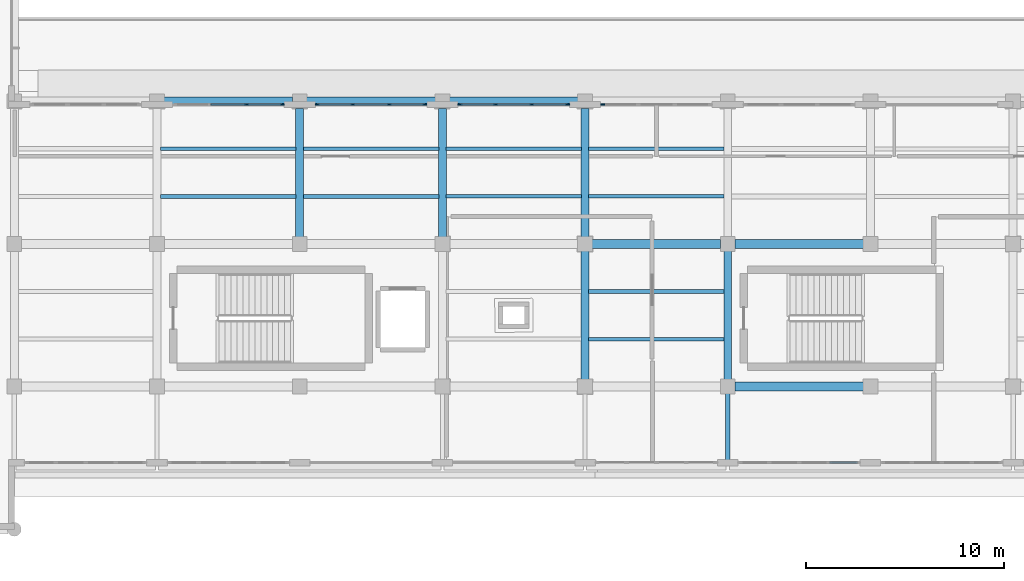
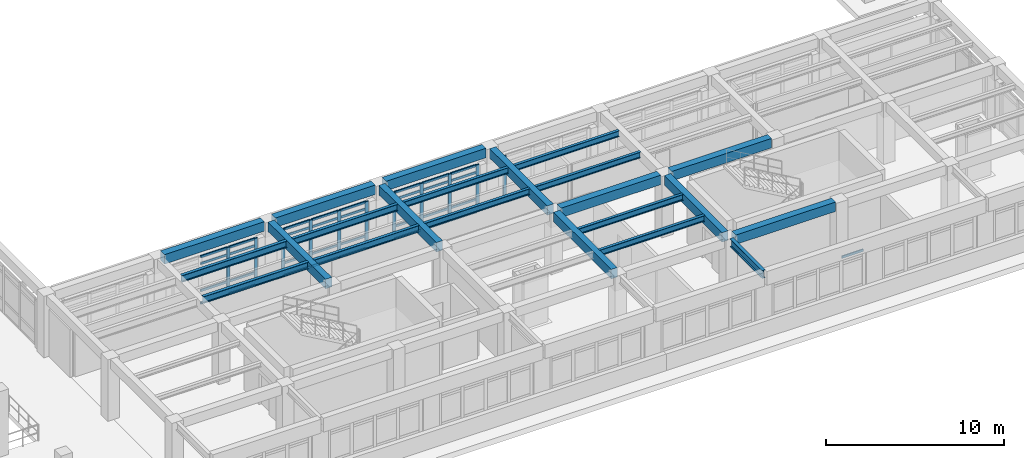
# One storey, part 7 of 64: 44 members, 22 beams, 5 elements without a shape of their own.
"""IFC4 building model written with IfcOpenShell, lengths in metres."""

import ifcopenshell
import ifcopenshell.guid

model = None  # the IFC model being written
_history = None  # IfcOwnerHistory: only IFC2X3 demands one
_inside = {}  # id of a spatial element -> (the spatial element, [elements in it])
_under = {}  # id of a project, library or spatial element -> (it, [spatial elements below it])
_declared = {}  # id of a project -> (the project, [libraries it declares])
_typed = {}  # id of a type object -> (the type object, [elements of that type])
_made_of = {}  # id of a material, layer set ... -> (it, [elements and type objects made of it])


def new_model(schema):
    """Start an empty IFC model of exactly this schema.

    Asked for "IFC4X3", IfcOpenShell would pick the latest addendum, in which some entities
    have other attributes; the version numbers below select the first issue.
    IFC2X3 requires an IfcOwnerHistory on every rooted entity: one is made here for all.
    """
    global model, _history
    if schema == "IFC4X3":
        model = ifcopenshell.file(schema_version=(4, 3, 0, 0))
    else:
        model = ifcopenshell.file(schema=schema)
    _inside.clear()
    _under.clear()
    _declared.clear()
    _typed.clear()
    _made_of.clear()
    _history = None
    if model.schema == "IFC2X3":
        org = make("IfcOrganization", Name="unknown")
        user = make(
            "IfcPersonAndOrganization",
            ThePerson=make("IfcPerson", FamilyName="unknown"),
            TheOrganization=org,
        )
        app = make(
            "IfcApplication",
            ApplicationDeveloper=org,
            Version="unknown",
            ApplicationFullName="unknown",
            ApplicationIdentifier="unknown",
        )
        _history = make(
            "IfcOwnerHistory",
            OwningUser=user,
            OwningApplication=app,
            ChangeAction="ADDED",
            CreationDate=0,
        )
    return model


def make(cls, **values):
    """One entity of the class cls with the attributes given. An attribute that is None is left unset."""
    return model.create_entity(
        cls, **{name: value for name, value in values.items() if value is not None}
    )


def rooted(cls, **values):
    """An entity with a GlobalId (a new one), such as an element, a storey or a relation."""
    return make(cls, GlobalId=ifcopenshell.guid.new(), OwnerHistory=_history, **values)


def si_unit(unit_type, name, prefix=None):
    """IfcSIUnit, for example si_unit("LENGTHUNIT", "METRE", prefix="MILLI")."""
    return make("IfcSIUnit", UnitType=unit_type, Prefix=prefix, Name=name)


def assignment(units):
    """IfcUnitAssignment: the units of a project."""
    return None if units is None else make("IfcUnitAssignment", Units=units)


def point(xyz):
    """IfcCartesianPoint."""
    return None if xyz is None else make("IfcCartesianPoint", Coordinates=xyz)


def direction(xyz):
    """IfcDirection."""
    return None if xyz is None else make("IfcDirection", DirectionRatios=xyz)


def frame(location, z_axis=None, x_axis=None):
    """IfcAxis2Placement3D, a coordinate frame: its origin and axes. An axis left out is left unset."""
    return make(
        "IfcAxis2Placement3D",
        Location=point(location),
        Axis=direction(z_axis),
        RefDirection=direction(x_axis),
    )


def frame_2d(location, x_axis=None):
    """IfcAxis2Placement2D, a coordinate frame in the plane: its origin and x axis."""
    return make(
        "IfcAxis2Placement2D", Location=point(location), RefDirection=direction(x_axis)
    )


def origin():
    """The frame at (0, 0, 0) with its axes left unset."""
    return frame((0.0, 0.0, 0.0))


def origin_2d():
    """The frame at (0, 0) in the plane with its x axis left unset."""
    return frame_2d((0.0, 0.0))


def place(relative_to, where):
    """IfcLocalPlacement: puts the frame where relative to a parent placement (None: the world)."""
    return make(
        "IfcLocalPlacement", PlacementRelTo=relative_to, RelativePlacement=where
    )


def context(
    kind, dimensions, precision=None, world=None, true_north=None, identifier=None
):
    """IfcGeometricRepresentationContext, for example the 3D "Model" context."""
    return make(
        "IfcGeometricRepresentationContext",
        ContextIdentifier=identifier,
        ContextType=kind,
        CoordinateSpaceDimension=dimensions,
        Precision=precision,
        WorldCoordinateSystem=world,
        TrueNorth=true_north,
    )


def subcontext(parent, identifier, kind, view, scale=None):
    """IfcGeometricRepresentationSubContext, for example "Body" below "Model"."""
    return make(
        "IfcGeometricRepresentationSubContext",
        ContextIdentifier=identifier,
        ContextType=kind,
        ParentContext=parent,
        TargetScale=scale,
        TargetView=view,
    )


def project(units=None, contexts=None):
    """IfcProject with its units and contexts."""
    return rooted(
        "IfcProject",
        Name="project",
        RepresentationContexts=contexts,
        UnitsInContext=assignment(units),
    )


def spatial(cls, under=None, at=None, **own):
    """A site, building, storey or space (cls), placed at a placement, below another one or the project."""
    s = rooted(cls, ObjectPlacement=at, **own)
    if under is not None:
        _under.setdefault(under.id(), (under, []))[1].append(s)
    return s


def profile(cls, at=None, kind="AREA", **sizes):
    """A parametric profile (cls). Its sizes go by their IFC names, for example OverallWidth=200.0."""
    return make(cls, ProfileType=kind, Position=at, **sizes)


def rectangle(**sizes):
    """IfcRectangleProfileDef."""
    return profile("IfcRectangleProfileDef", **sizes)


def i_section(**sizes):
    """IfcIShapeProfileDef."""
    return profile("IfcIShapeProfileDef", **sizes)


def extrude(swept, where, along, depth):
    """IfcExtrudedAreaSolid: the profile swept, set in the frame where, extruded along a direction by depth."""
    return make(
        "IfcExtrudedAreaSolid",
        SweptArea=swept,
        Position=where,
        ExtrudedDirection=direction(along),
        Depth=depth,
    )


def shape(context_of_items, identifier, shape_type, items):
    """IfcShapeRepresentation: the items that make up one representation, for example the "Body"."""
    return make(
        "IfcShapeRepresentation",
        ContextOfItems=context_of_items,
        RepresentationIdentifier=identifier,
        RepresentationType=shape_type,
        Items=items,
    )


def material(Name=None, Category=None):
    """IfcMaterial."""
    return make("IfcMaterial", Name=Name, Category=Category)


def layer(
    of_material, thickness, ventilated=None, Name=None, Category=None, Priority=None
):
    """IfcMaterialLayer: one layer of a wall or slab, of a material (None: an air gap)."""
    return make(
        "IfcMaterialLayer",
        Material=of_material,
        LayerThickness=thickness,
        IsVentilated=ventilated,
        Name=Name,
        Category=Category,
        Priority=Priority,
    )


def layer_set(layers, Name=None):
    """IfcMaterialLayerSet."""
    return make("IfcMaterialLayerSet", MaterialLayers=layers, LayerSetName=Name)


def material_profile(
    of_material, cross_section, Name=None, Category=None, Priority=None
):
    """IfcMaterialProfile: a cross section and its material."""
    return make(
        "IfcMaterialProfile",
        Name=Name,
        Material=of_material,
        Profile=cross_section,
        Priority=Priority,
        Category=Category,
    )


def profile_set(profiles, Name=None, composite=None):
    """IfcMaterialProfileSet."""
    return make(
        "IfcMaterialProfileSet",
        Name=Name,
        MaterialProfiles=profiles,
        CompositeProfile=composite,
    )


def made_of(thing, what):
    """Note that an element or type object is made of a material, layer set ...; save() writes the relation."""
    if what is not None:
        _made_of.setdefault(what.id(), (what, []))[1].append(thing)
    return thing


def type_object(cls, material=None, **own):
    """A type object (cls), such as IfcWallType, which elements share."""
    return made_of(rooted(cls, **own), material)


def element(
    cls,
    number,
    at=None,
    inside=None,
    cuts=None,
    type_object=None,
    material=None,
    context=None,
    identifier="Body",
    shape_type=None,
    held_by="IfcProductDefinitionShape",
    body=None,
    shapes=None,
    **own,
):
    """One element of the class cls, such as IfcWall. Its Tag is "e" and its number.

    at: its placement. inside: the storey or other place that contains it. cuts: it is an
    opening in that element (IfcRelVoidsElement). A single representation is given by context,
    identifier, shape_type and body (its items); several are given by shapes. held_by: the class
    of the entity that holds the representations. save() writes the other relations.
    """
    e = rooted(cls, Tag="e%d" % number, ObjectPlacement=at, **own)
    if body is not None:
        shapes = [shape(context, identifier, shape_type, body)]
    if shapes is not None:
        e.Representation = make(held_by, Representations=shapes)
    if inside is not None:
        _inside.setdefault(inside.id(), (inside, []))[1].append(e)
    if cuts is not None:
        rooted(
            "IfcRelVoidsElement", RelatingBuildingElement=cuts, RelatedOpeningElement=e
        )
    if type_object is not None:
        _typed.setdefault(type_object.id(), (type_object, []))[1].append(e)
    return made_of(e, material)


def aggregate(whole, parts):
    """IfcRelAggregates: a whole, such as a stair, and the parts it consists of."""
    return rooted("IfcRelAggregates", RelatingObject=whole, RelatedObjects=parts)


def save(model, path):
    """Write the relations noted so far, then the file.

    IfcRelAggregates (storeys below a building ...), IfcRelContainedInSpatialStructure (elements
    in a storey), IfcRelDefinesByType, IfcRelAssociatesMaterial and IfcRelDeclares: one each for
    every whole, place, type object, material and project.
    """
    for whole, parts in _under.values():
        aggregate(whole, parts)
    for where, things in _inside.values():
        rooted(
            "IfcRelContainedInSpatialStructure",
            RelatedElements=things,
            RelatingStructure=where,
        )
    for kind, things in _typed.values():
        rooted("IfcRelDefinesByType", RelatedObjects=things, RelatingType=kind)
    for what, things in _made_of.values():
        rooted("IfcRelAssociatesMaterial", RelatedObjects=things, RelatingMaterial=what)
    for by, libraries in _declared.values():
        rooted("IfcRelDeclares", RelatingContext=by, RelatedDefinitions=libraries)
    model.write(path)


model = new_model("IFC4")

# Units and contexts
model_context = context("Model", 3, precision=1e-05, world=origin(), true_north=direction((0.0, 1.0)))
body_context = subcontext(model_context, "Body", "Model", "MODEL_VIEW")
ifc_project = project(units=[si_unit("LENGTHUNIT", "METRE"), si_unit("AREAUNIT", "SQUARE_METRE"), si_unit("VOLUMEUNIT", "CUBIC_METRE"), si_unit("PLANEANGLEUNIT", "RADIAN"), si_unit("MASSUNIT", "GRAM", prefix="KILO")], contexts=[model_context])

# Site, building, storey
site_placement = place(None, origin())
site = spatial("IfcSite", under=ifc_project, at=site_placement, CompositionType="ELEMENT")
building_placement = place(site_placement, origin())
building = spatial("IfcBuilding", under=site, at=building_placement, Name="Solenvale Faculty of Natural Sciences", CompositionType="ELEMENT")
storey_placement = place(building_placement, frame((0.0, 0.0, 18.0)))
storey = spatial("IfcBuildingStorey", under=building, at=storey_placement, Name="L04", CompositionType="ELEMENT", Elevation=18.0)

# Beams
ifc_material_1 = material(Name="Concrete 40 MPa", Category="concrete")
ifc_material_profile_1 = material_profile(ifc_material_1, rectangle(XDim=0.39990234375, YDim=0.64990234375, at=origin_2d()), Name="RC-BM-400x650")
ifc_profile_set_1 = profile_set([ifc_material_profile_1], Name="Concrete 40 MPa")
beam_type_1 = type_object("IfcBeamType", Name="BM-RC-400x650", PredefinedType="BEAM", material=ifc_profile_set_1)
for number, where, z_axis, x_axis, name in (
    (1, (72.0, 29.155029296875, 3.89501953125), (0.0, 1.0, 0.0), (-1.0, 0.0, 0.0), "L04 Y-Girder X72.0 (28.8..36.0)"),
    (2, (79.199951171875, 29.155029296875, 3.89501953125), (0.0, 1.0, 0.0), (-1.0, 0.0, 0.0), "L04 Y-Girder X79.2 (28.8..36.0)"),
    (3, (86.39990234375, 21.955078125, 3.89501953125), (0.0, 1.0, 0.0), (-1.0, 0.0, 0.0), "L04 Y-Girder X86.4 (21.6..28.8)"),
    (4, (86.39990234375, 29.155029296875, 3.89501953125), (0.0, 1.0, 0.0), (-1.0, 0.0, 0.0), "L04 Y-Girder X86.4 (28.8..36.0)"),
    (5, (93.60009765625, 21.955078125, 3.89501953125), (0.0, 1.0, 0.0), (-1.0, 0.0, 0.0), "L04 Y-Girder X93.6 (21.6..28.8)"),
):
    element("IfcBeam", number, at=place(storey_placement, frame(where, z_axis=z_axis, x_axis=x_axis)), inside=storey, type_object=beam_type_1, Name=name, PredefinedType="BEAM", context=body_context, shape_type="SweptSolid", body=[
        extrude(rectangle(XDim=0.39990234375, YDim=0.64990234375, at=origin_2d()), origin(), (0.0, 0.0, 1.0), 6.489990234375),
    ])
ifc_material_profile_2 = material_profile(ifc_material_1, rectangle(XDim=0.449951171875, YDim=0.64990234375, at=origin_2d()), Name="RC-BM-450x650")
ifc_profile_set_2 = profile_set([ifc_material_profile_2], Name="Concrete 40 MPa")
beam_type_2 = type_object("IfcBeamType", Name="BM-RC-450x650", PredefinedType="BEAM", material=ifc_profile_set_2)
beam_1_placement = place(storey_placement, frame((93.955078125, 21.60009765625, 3.89501953125), z_axis=(1.0, 0.0, 0.0), x_axis=(0.0, 1.0, 0.0)))
element("IfcBeam", 6, at=beam_1_placement, inside=storey, type_object=beam_type_2, Name="L04 X-Girder Y21.6 (93.6..100.8)", PredefinedType="BEAM", context=body_context, shape_type="SweptSolid", body=[
    extrude(rectangle(XDim=0.449951171875, YDim=0.64990234375, at=origin_2d()), origin(), (0.0, 0.0, 1.0), 6.489990234375),
])
beam_2_placement = place(storey_placement, frame((86.7548828125, 28.800048828125, 3.89501953125), z_axis=(1.0, 0.0, 0.0), x_axis=(0.0, 1.0, 0.0)))
element("IfcBeam", 7, at=beam_2_placement, inside=storey, type_object=beam_type_2, Name="L04 X-Girder Y28.8 (86.4..93.6)", PredefinedType="BEAM", context=body_context, shape_type="SweptSolid", body=[
    extrude(rectangle(XDim=0.449951171875, YDim=0.64990234375, at=origin_2d()), origin(), (0.0, 0.0, 1.0), 6.490234375),
])
for number, where, z_axis, x_axis, name in (
    (8, (93.955078125, 28.800048828125, 3.89501953125), (1.0, 0.0, 0.0), (0.0, 1.0, 0.0), "L04 X-Girder Y28.8 (93.6..100.8)"),
    (9, (65.155029296875, 36.0, 3.89501953125), (1.0, 0.0, 0.0), (0.0, 1.0, 0.0), "L04 X-Girder Y36.0 (64.8..72.0)"),
    (10, (72.35498046875, 36.0, 3.89501953125), (1.0, 0.0, 0.0), (0.0, 1.0, 0.0), "L04 X-Girder Y36.0 (72.0..79.2)"),
    (11, (79.554931640625, 36.0, 3.89501953125), (1.0, 0.0, 0.0), (0.0, 1.0, 0.0), "L04 X-Girder Y36.0 (79.2..86.4)"),
):
    element("IfcBeam", number, at=place(storey_placement, frame(where, z_axis=z_axis, x_axis=x_axis)), inside=storey, type_object=beam_type_2, Name=name, PredefinedType="BEAM", context=body_context, shape_type="SweptSolid", body=[
        extrude(rectangle(XDim=0.449951171875, YDim=0.64990234375, at=origin_2d()), origin(), (0.0, 0.0, 1.0), 6.489990234375),
    ])
ifc_material_2 = material(Name="Steel S355", Category="steel")
ifc_material_profile_3 = material_profile(ifc_material_2, i_section(OverallWidth=0.178955078125, OverallDepth=0.409912109375, WebThickness=0.0087890625, FlangeThickness=0.014404296875, FilletRadius=0.01611328125, at=origin_2d()), Name="W410x67")
ifc_profile_set_3 = profile_set([ifc_material_profile_3], Name="Steel S355")
beam_type_3 = type_object("IfcBeamType", Name="BM-STL-W410x67", PredefinedType="JOIST", material=ifc_profile_set_3)
for number, where, z_axis, x_axis, name in (
    (12, (86.580078125, 31.199951171875, 4.014892578125), (1.0, 0.0, 0.0), (0.0, 1.0, 0.0), "L04 Composite Floor Joist (13,5).1"),
    (13, (86.580078125, 33.60009765625, 4.014892578125), (1.0, 0.0, 0.0), (0.0, 1.0, 0.0), "L04 Composite Floor Joist (13,5).2"),
):
    element("IfcBeam", number, at=place(storey_placement, frame(where, z_axis=z_axis, x_axis=x_axis)), inside=storey, type_object=beam_type_3, Name=name, PredefinedType="JOIST", context=body_context, shape_type="SweptSolid", body=[
        extrude(i_section(OverallWidth=0.178955078125, OverallDepth=0.409912109375, WebThickness=0.0087890625, FlangeThickness=0.014404296875, FilletRadius=0.01611328125, at=origin_2d()), origin(), (0.0, 0.0, 1.0), 6.83984375),
    ])
ifc_material_profile_4 = material_profile(ifc_material_2, i_section(OverallWidth=0.180908203125, OverallDepth=0.4169921875, WebThickness=0.010986328125, FlangeThickness=0.018310546875, FilletRadius=0.01611328125, at=origin_2d()), Name="W410x85")
ifc_profile_set_4 = profile_set([ifc_material_profile_4], Name="Steel S355")
beam_type_4 = type_object("IfcBeamType", Name="BM-STL-W410x85", PredefinedType="JOIST", material=ifc_profile_set_4)
for number, where, z_axis, x_axis, name in (
    (14, (79.3798828125, 31.199951171875, 4.011474609375), (1.0, 0.0, 0.0), (0.0, 1.0, 0.0), "L04 Composite Floor Joist (12,5).1"),
    (15, (79.3798828125, 33.60009765625, 4.011474609375), (1.0, 0.0, 0.0), (0.0, 1.0, 0.0), "L04 Composite Floor Joist (12,5).2"),
):
    element("IfcBeam", number, at=place(storey_placement, frame(where, z_axis=z_axis, x_axis=x_axis)), inside=storey, type_object=beam_type_4, Name=name, PredefinedType="JOIST", context=body_context, shape_type="SweptSolid", body=[
        extrude(i_section(OverallWidth=0.180908203125, OverallDepth=0.4169921875, WebThickness=0.010986328125, FlangeThickness=0.018310546875, FilletRadius=0.01611328125, at=origin_2d()), origin(), (0.0, 0.0, 1.0), 6.840087890625),
    ])
for number, where, z_axis, x_axis, name in (
    (16, (86.580078125, 24.0, 4.011474609375), (1.0, 0.0, 0.0), (0.0, 1.0, 0.0), "L04 Composite Floor Joist (13,4).1"),
    (17, (86.580078125, 26.39990234375, 4.011474609375), (1.0, 0.0, 0.0), (0.0, 1.0, 0.0), "L04 Composite Floor Joist (13,4).2"),
):
    element("IfcBeam", number, at=place(storey_placement, frame(where, z_axis=z_axis, x_axis=x_axis)), inside=storey, type_object=beam_type_4, Name=name, PredefinedType="JOIST", context=body_context, shape_type="SweptSolid", body=[
        extrude(i_section(OverallWidth=0.180908203125, OverallDepth=0.4169921875, WebThickness=0.010986328125, FlangeThickness=0.018310546875, FilletRadius=0.01611328125, at=origin_2d()), origin(), (0.0, 0.0, 1.0), 6.83984375),
    ])
ifc_material_profile_5 = material_profile(ifc_material_2, i_section(OverallWidth=0.194091796875, OverallDepth=0.468994140625, WebThickness=0.0126953125, FlangeThickness=0.0205078125, FilletRadius=0.01806640625, at=origin_2d()), Name="W460x106")
ifc_profile_set_5 = profile_set([ifc_material_profile_5], Name="Steel S355")
beam_type_5 = type_object("IfcBeamType", Name="BM-STL-W460x106", PredefinedType="JOIST", material=ifc_profile_set_5)
for number, where, z_axis, x_axis, name in (
    (18, (64.97998046875, 31.199951171875, 3.985595703125), (1.0, 0.0, 0.0), (0.0, 1.0, 0.0), "L04 Composite Floor Joist (10,5).1"),
    (19, (64.97998046875, 33.60009765625, 3.985595703125), (1.0, 0.0, 0.0), (0.0, 1.0, 0.0), "L04 Composite Floor Joist (10,5).2"),
):
    element("IfcBeam", number, at=place(storey_placement, frame(where, z_axis=z_axis, x_axis=x_axis)), inside=storey, type_object=beam_type_5, Name=name, PredefinedType="JOIST", context=body_context, shape_type="SweptSolid", body=[
        extrude(i_section(OverallWidth=0.194091796875, OverallDepth=0.468994140625, WebThickness=0.0126953125, FlangeThickness=0.0205078125, FilletRadius=0.01806640625, at=origin_2d()), origin(), (0.0, 0.0, 1.0), 6.840087890625),
    ])
ifc_material_profile_6 = material_profile(ifc_material_2, i_section(OverallWidth=0.19091796875, OverallDepth=0.4599609375, WebThickness=0.010009765625, FlangeThickness=0.01611328125, FilletRadius=0.01806640625, at=origin_2d()), Name="W460x82")
ifc_profile_set_6 = profile_set([ifc_material_profile_6], Name="Steel S355")
beam_type_6 = type_object("IfcBeamType", Name="BM-STL-W460x82", PredefinedType="JOIST", material=ifc_profile_set_6)
for number, where, z_axis, x_axis, name in (
    (20, (72.179931640625, 31.199951171875, 3.989990234375), (1.0, 0.0, 0.0), (0.0, 1.0, 0.0), "L04 Composite Floor Joist (11,5).1"),
    (21, (72.179931640625, 33.60009765625, 3.989990234375), (1.0, 0.0, 0.0), (0.0, 1.0, 0.0), "L04 Composite Floor Joist (11,5).2"),
):
    element("IfcBeam", number, at=place(storey_placement, frame(where, z_axis=z_axis, x_axis=x_axis)), inside=storey, type_object=beam_type_6, Name=name, PredefinedType="JOIST", context=body_context, shape_type="SweptSolid", body=[
        extrude(i_section(OverallWidth=0.19091796875, OverallDepth=0.4599609375, WebThickness=0.010009765625, FlangeThickness=0.01611328125, FilletRadius=0.01806640625, at=origin_2d()), origin(), (0.0, 0.0, 1.0), 6.840087890625),
    ])
ifc_material_profile_7 = material_profile(ifc_material_2, i_section(OverallWidth=0.2119140625, OverallDepth=0.5439453125, WebThickness=0.01318359375, FlangeThickness=0.021240234375, FilletRadius=0.01904296875, at=origin_2d()), Name="W530x123")
ifc_profile_set_7 = profile_set([ifc_material_profile_7], Name="Steel S355")
beam_type_7 = type_object("IfcBeamType", Name="BM-STL-W530x123", PredefinedType="BEAM", material=ifc_profile_set_7)
beam_3_placement = place(storey_placement, frame((93.60009765625, 21.2451171875, 3.947998046875), z_axis=(0.0, -1.0, 0.0), x_axis=(1.0, 0.0, 0.0)))
element("IfcBeam", 22, at=beam_3_placement, inside=storey, type_object=beam_type_7, Name="L04 V4 Cantilever Tray Girder X93.6", PredefinedType="BEAM", context=body_context, shape_type="SweptSolid", body=[
    extrude(i_section(OverallWidth=0.2119140625, OverallDepth=0.5439453125, WebThickness=0.01318359375, FlangeThickness=0.021240234375, FilletRadius=0.01904296875, at=origin_2d()), origin(), (0.0, 0.0, 1.0), 3.64501953125),
])

# Curtain wall, member
ifc_material_3 = material(Name="Anodised bronze aluminium", Category="aluminium")
ifc_layer = layer(ifc_material_3, 0.18994140625)
ifc_layer_set = layer_set([ifc_layer], Name="Anodised bronze aluminium")
curtain_wall_type = type_object("IfcCurtainWallType", Name="CW-TRAY-REC", PredefinedType="USERDEFINED", material=ifc_layer_set)
curtain_wall_1_placement = place(storey_placement, origin())
curtain_wall_1 = element("IfcCurtainWall", 23, at=curtain_wall_1_placement, inside=storey, type_object=curtain_wall_type, Name="L04 Curtain Wall CW-L04-P1-E8-B4", ObjectType="UNITISED CURTAIN WALL", PredefinedType="USERDEFINED")
ifc_material_profile_8 = material_profile(ifc_material_3, rectangle(XDim=0.074951171875, YDim=0.2099609375, at=origin_2d()), Name="ALU-MUL-75x210")
ifc_profile_set_8 = profile_set([ifc_material_profile_8], Name="Anodised bronze aluminium")
member_type_1 = type_object("IfcMemberType", Name="CWM-ALU-75x210", PredefinedType="MULLION", material=ifc_profile_set_8)
member_1_placement = place(storey_placement, frame((87.28759765625, 35.83740234375, 0.0), z_axis=(0.0, 0.0, 1.0), x_axis=(0.0, -1.0, 0.0)))
member_1 = element("IfcMember", 24, at=member_1_placement, type_object=member_type_1, Name="CW-02 mullion 4", PredefinedType="MULLION", context=body_context, shape_type="SweptSolid", body=[
    extrude(rectangle(XDim=0.074951171875, YDim=0.2099609375, at=origin_2d()), origin(), (0.0, 0.0, 1.0), 3.260009765625),
])
aggregate(curtain_wall_1, [member_1])

# Curtain wall, members
curtain_wall_2_placement = place(storey_placement, origin())
curtain_wall_2 = element("IfcCurtainWall", 25, at=curtain_wall_2_placement, inside=storey, type_object=curtain_wall_type, Name="L04 Curtain Wall CW-L04-P1-E8-B5", ObjectType="UNITISED CURTAIN WALL", PredefinedType="USERDEFINED")
member_2_placement = place(storey_placement, frame((85.512451171875, 35.83740234375, 0.0), z_axis=(0.0, 0.0, 1.0), x_axis=(0.0, -1.0, 0.0)))
member_2 = element("IfcMember", 26, at=member_2_placement, type_object=member_type_1, Name="CW-02 mullion 1", PredefinedType="MULLION", context=body_context, shape_type="SweptSolid", body=[
    extrude(rectangle(XDim=0.074951171875, YDim=0.2099609375, at=origin_2d()), origin(), (0.0, 0.0, 1.0), 3.260009765625),
])
member_3_placement = place(storey_placement, frame((83.716552734375, 35.83740234375, 0.0), z_axis=(0.0, 0.0, 1.0), x_axis=(0.0, -1.0, 0.0)))
member_3 = element("IfcMember", 27, at=member_3_placement, type_object=member_type_1, Name="CW-02 mullion 2", PredefinedType="MULLION", context=body_context, shape_type="SweptSolid", body=[
    extrude(rectangle(XDim=0.074951171875, YDim=0.2099609375, at=origin_2d()), origin(), (0.0, 0.0, 1.0), 3.260009765625),
])
member_4_placement = place(storey_placement, frame((81.88330078125, 35.83740234375, 0.0), z_axis=(0.0, 0.0, 1.0), x_axis=(0.0, -1.0, 0.0)))
member_4 = element("IfcMember", 28, at=member_4_placement, type_object=member_type_1, Name="CW-02 mullion 3", PredefinedType="MULLION", context=body_context, shape_type="SweptSolid", body=[
    extrude(rectangle(XDim=0.074951171875, YDim=0.2099609375, at=origin_2d()), origin(), (0.0, 0.0, 1.0), 3.260009765625),
])
member_5_placement = place(storey_placement, frame((80.08740234375, 35.83740234375, 0.0), z_axis=(0.0, 0.0, 1.0), x_axis=(0.0, -1.0, 0.0)))
member_5 = element("IfcMember", 29, at=member_5_placement, type_object=member_type_1, Name="CW-02 mullion 4", PredefinedType="MULLION", context=body_context, shape_type="SweptSolid", body=[
    extrude(rectangle(XDim=0.074951171875, YDim=0.2099609375, at=origin_2d()), origin(), (0.0, 0.0, 1.0), 3.260009765625),
])

curtain_wall_3_placement = place(storey_placement, origin())
curtain_wall_3 = element("IfcCurtainWall", 30, at=curtain_wall_3_placement, inside=storey, type_object=curtain_wall_type, Name="L04 Curtain Wall CW-L04-P1-E8-B6", ObjectType="UNITISED CURTAIN WALL", PredefinedType="USERDEFINED")
member_6_placement = place(storey_placement, frame((78.3125, 35.83740234375, 0.0), z_axis=(0.0, 0.0, 1.0), x_axis=(0.0, -1.0, 0.0)))
member_6 = element("IfcMember", 31, at=member_6_placement, type_object=member_type_1, Name="CW-02 mullion 1", PredefinedType="MULLION", context=body_context, shape_type="SweptSolid", body=[
    extrude(rectangle(XDim=0.074951171875, YDim=0.2099609375, at=origin_2d()), origin(), (0.0, 0.0, 1.0), 3.260009765625),
])
member_7_placement = place(storey_placement, frame((76.5166015625, 35.83740234375, 0.0), z_axis=(0.0, 0.0, 1.0), x_axis=(0.0, -1.0, 0.0)))
member_7 = element("IfcMember", 32, at=member_7_placement, type_object=member_type_1, Name="CW-02 mullion 2", PredefinedType="MULLION", context=body_context, shape_type="SweptSolid", body=[
    extrude(rectangle(XDim=0.074951171875, YDim=0.2099609375, at=origin_2d()), origin(), (0.0, 0.0, 1.0), 3.260009765625),
])
member_8_placement = place(storey_placement, frame((74.683349609375, 35.83740234375, 0.0), z_axis=(0.0, 0.0, 1.0), x_axis=(0.0, -1.0, 0.0)))
member_8 = element("IfcMember", 33, at=member_8_placement, type_object=member_type_1, Name="CW-02 mullion 3", PredefinedType="MULLION", context=body_context, shape_type="SweptSolid", body=[
    extrude(rectangle(XDim=0.074951171875, YDim=0.2099609375, at=origin_2d()), origin(), (0.0, 0.0, 1.0), 3.260009765625),
])
member_9_placement = place(storey_placement, frame((72.887451171875, 35.83740234375, 0.0), z_axis=(0.0, 0.0, 1.0), x_axis=(0.0, -1.0, 0.0)))
member_9 = element("IfcMember", 34, at=member_9_placement, type_object=member_type_1, Name="CW-02 mullion 4", PredefinedType="MULLION", context=body_context, shape_type="SweptSolid", body=[
    extrude(rectangle(XDim=0.074951171875, YDim=0.2099609375, at=origin_2d()), origin(), (0.0, 0.0, 1.0), 3.260009765625),
])

curtain_wall_4_placement = place(storey_placement, origin())
curtain_wall_4 = element("IfcCurtainWall", 35, at=curtain_wall_4_placement, inside=storey, type_object=curtain_wall_type, Name="L04 Curtain Wall CW-L04-P1-E8-B7", ObjectType="UNITISED CURTAIN WALL", PredefinedType="USERDEFINED")
member_10_placement = place(storey_placement, frame((71.112548828125, 35.83740234375, 0.0), z_axis=(0.0, 0.0, 1.0), x_axis=(0.0, -1.0, 0.0)))
member_10 = element("IfcMember", 36, at=member_10_placement, type_object=member_type_1, Name="CW-02 mullion 1", PredefinedType="MULLION", context=body_context, shape_type="SweptSolid", body=[
    extrude(rectangle(XDim=0.074951171875, YDim=0.2099609375, at=origin_2d()), origin(), (0.0, 0.0, 1.0), 3.260009765625),
])
member_11_placement = place(storey_placement, frame((69.316650390625, 35.83740234375, 0.0), z_axis=(0.0, 0.0, 1.0), x_axis=(0.0, -1.0, 0.0)))
member_11 = element("IfcMember", 37, at=member_11_placement, type_object=member_type_1, Name="CW-02 mullion 2", PredefinedType="MULLION", context=body_context, shape_type="SweptSolid", body=[
    extrude(rectangle(XDim=0.074951171875, YDim=0.2099609375, at=origin_2d()), origin(), (0.0, 0.0, 1.0), 3.260009765625),
])

# Curtain wall, member
curtain_wall_5_placement = place(storey_placement, origin())
curtain_wall_5 = element("IfcCurtainWall", 38, at=curtain_wall_5_placement, inside=storey, type_object=curtain_wall_type, Name="L04 Curtain Wall CW-L04-P1-E6-B6", ObjectType="UNITISED CURTAIN WALL", PredefinedType="USERDEFINED")
ifc_material_profile_9 = material_profile(ifc_material_3, rectangle(XDim=0.074951171875, YDim=0.155029296875, at=origin_2d()), Name="ALU-TRN-75x155")
ifc_profile_set_9 = profile_set([ifc_material_profile_9], Name="Anodised bronze aluminium")
member_type_2 = type_object("IfcMemberType", Name="CWT-ALU-75x155", PredefinedType="USERDEFINED", material=ifc_profile_set_9)
member_12_placement = place(storey_placement, frame((98.74755859375, 17.762451171875, 3.222412109375), z_axis=(1.0, 0.0, 0.0), x_axis=(0.0, 1.0, 0.0)))
member_12 = element("IfcMember", 39, at=member_12_placement, type_object=member_type_2, Name="CW-02 transom 4.4", ObjectType="TRANSOM", PredefinedType="USERDEFINED", context=body_context, shape_type="SweptSolid", body=[
    extrude(rectangle(XDim=0.074951171875, YDim=0.155029296875, at=origin_2d()), origin(), (0.0, 0.0, 1.0), 1.3974609375),
])
aggregate(curtain_wall_5, [member_12])

# Member
member_13_placement = place(storey_placement, frame((85.47509765625, 35.83740234375, 0.03759765625), z_axis=(-1.0, 0.0, 0.0), x_axis=(0.0, -1.0, 0.0)))
member_13 = element("IfcMember", 40, at=member_13_placement, type_object=member_type_2, Name="CW-02 transom 1.1", ObjectType="TRANSOM", PredefinedType="USERDEFINED", context=body_context, shape_type="SweptSolid", body=[
    extrude(rectangle(XDim=0.074951171875, YDim=0.155029296875, at=origin_2d()), origin(), (0.0, 0.0, 1.0), 1.720947265625),
])

member_14_placement = place(storey_placement, frame((85.47509765625, 35.83740234375, 0.89990234375), z_axis=(-1.0, 0.0, 0.0), x_axis=(0.0, -1.0, 0.0)))
member_14 = element("IfcMember", 41, at=member_14_placement, type_object=member_type_2, Name="CW-02 transom 1.2", ObjectType="TRANSOM", PredefinedType="USERDEFINED", context=body_context, shape_type="SweptSolid", body=[
    extrude(rectangle(XDim=0.074951171875, YDim=0.155029296875, at=origin_2d()), origin(), (0.0, 0.0, 1.0), 1.720947265625),
])

member_15_placement = place(storey_placement, frame((85.47509765625, 35.83740234375, 2.760009765625), z_axis=(-1.0, 0.0, 0.0), x_axis=(0.0, -1.0, 0.0)))
member_15 = element("IfcMember", 42, at=member_15_placement, type_object=member_type_2, Name="CW-02 transom 1.3", ObjectType="TRANSOM", PredefinedType="USERDEFINED", context=body_context, shape_type="SweptSolid", body=[
    extrude(rectangle(XDim=0.074951171875, YDim=0.155029296875, at=origin_2d()), origin(), (0.0, 0.0, 1.0), 1.720947265625),
])

member_16_placement = place(storey_placement, frame((85.47509765625, 35.83740234375, 3.222412109375), z_axis=(-1.0, 0.0, 0.0), x_axis=(0.0, -1.0, 0.0)))
member_16 = element("IfcMember", 43, at=member_16_placement, type_object=member_type_2, Name="CW-02 transom 1.4", ObjectType="TRANSOM", PredefinedType="USERDEFINED", context=body_context, shape_type="SweptSolid", body=[
    extrude(rectangle(XDim=0.074951171875, YDim=0.155029296875, at=origin_2d()), origin(), (0.0, 0.0, 1.0), 1.720947265625),
])

member_17_placement = place(storey_placement, frame((83.67919921875, 35.83740234375, 0.03759765625), z_axis=(-1.0, 0.0, 0.0), x_axis=(0.0, -1.0, 0.0)))
member_17 = element("IfcMember", 44, at=member_17_placement, type_object=member_type_2, Name="CW-02 transom 2.1", ObjectType="TRANSOM", PredefinedType="USERDEFINED", context=body_context, shape_type="SweptSolid", body=[
    extrude(rectangle(XDim=0.074951171875, YDim=0.155029296875, at=origin_2d()), origin(), (0.0, 0.0, 1.0), 1.75830078125),
])

member_18_placement = place(storey_placement, frame((83.67919921875, 35.83740234375, 0.89990234375), z_axis=(-1.0, 0.0, 0.0), x_axis=(0.0, -1.0, 0.0)))
member_18 = element("IfcMember", 45, at=member_18_placement, type_object=member_type_2, Name="CW-02 transom 2.2", ObjectType="TRANSOM", PredefinedType="USERDEFINED", context=body_context, shape_type="SweptSolid", body=[
    extrude(rectangle(XDim=0.074951171875, YDim=0.155029296875, at=origin_2d()), origin(), (0.0, 0.0, 1.0), 1.75830078125),
])

member_19_placement = place(storey_placement, frame((83.67919921875, 35.83740234375, 2.760009765625), z_axis=(-1.0, 0.0, 0.0), x_axis=(0.0, -1.0, 0.0)))
member_19 = element("IfcMember", 46, at=member_19_placement, type_object=member_type_2, Name="CW-02 transom 2.3", ObjectType="TRANSOM", PredefinedType="USERDEFINED", context=body_context, shape_type="SweptSolid", body=[
    extrude(rectangle(XDim=0.074951171875, YDim=0.155029296875, at=origin_2d()), origin(), (0.0, 0.0, 1.0), 1.75830078125),
])

member_20_placement = place(storey_placement, frame((83.67919921875, 35.83740234375, 3.222412109375), z_axis=(-1.0, 0.0, 0.0), x_axis=(0.0, -1.0, 0.0)))
member_20 = element("IfcMember", 47, at=member_20_placement, type_object=member_type_2, Name="CW-02 transom 2.4", ObjectType="TRANSOM", PredefinedType="USERDEFINED", context=body_context, shape_type="SweptSolid", body=[
    extrude(rectangle(XDim=0.074951171875, YDim=0.155029296875, at=origin_2d()), origin(), (0.0, 0.0, 1.0), 1.75830078125),
])

member_21_placement = place(storey_placement, frame((81.845947265625, 35.83740234375, 0.03759765625), z_axis=(-1.0, 0.0, 0.0), x_axis=(0.0, -1.0, 0.0)))
member_21 = element("IfcMember", 48, at=member_21_placement, type_object=member_type_2, Name="CW-02 transom 3.1", ObjectType="TRANSOM", PredefinedType="USERDEFINED", context=body_context, shape_type="SweptSolid", body=[
    extrude(rectangle(XDim=0.074951171875, YDim=0.155029296875, at=origin_2d()), origin(), (0.0, 0.0, 1.0), 1.720947265625),
])

member_22_placement = place(storey_placement, frame((81.845947265625, 35.83740234375, 0.89990234375), z_axis=(-1.0, 0.0, 0.0), x_axis=(0.0, -1.0, 0.0)))
member_22 = element("IfcMember", 49, at=member_22_placement, type_object=member_type_2, Name="CW-02 transom 3.2", ObjectType="TRANSOM", PredefinedType="USERDEFINED", context=body_context, shape_type="SweptSolid", body=[
    extrude(rectangle(XDim=0.074951171875, YDim=0.155029296875, at=origin_2d()), origin(), (0.0, 0.0, 1.0), 1.720947265625),
])

member_23_placement = place(storey_placement, frame((81.845947265625, 35.83740234375, 2.760009765625), z_axis=(-1.0, 0.0, 0.0), x_axis=(0.0, -1.0, 0.0)))
member_23 = element("IfcMember", 50, at=member_23_placement, type_object=member_type_2, Name="CW-02 transom 3.3", ObjectType="TRANSOM", PredefinedType="USERDEFINED", context=body_context, shape_type="SweptSolid", body=[
    extrude(rectangle(XDim=0.074951171875, YDim=0.155029296875, at=origin_2d()), origin(), (0.0, 0.0, 1.0), 1.720947265625),
])

member_24_placement = place(storey_placement, frame((81.845947265625, 35.83740234375, 3.222412109375), z_axis=(-1.0, 0.0, 0.0), x_axis=(0.0, -1.0, 0.0)))
member_24 = element("IfcMember", 51, at=member_24_placement, type_object=member_type_2, Name="CW-02 transom 3.4", ObjectType="TRANSOM", PredefinedType="USERDEFINED", context=body_context, shape_type="SweptSolid", body=[
    extrude(rectangle(XDim=0.074951171875, YDim=0.155029296875, at=origin_2d()), origin(), (0.0, 0.0, 1.0), 1.720947265625),
])

aggregate(curtain_wall_2, [member_2, member_3, member_4, member_5, member_13, member_14, member_15, member_16, member_17, member_18, member_19, member_20, member_21, member_22, member_23, member_24])

member_25_placement = place(storey_placement, frame((78.27490234375, 35.83740234375, 0.03759765625), z_axis=(-1.0, 0.0, 0.0), x_axis=(0.0, -1.0, 0.0)))
member_25 = element("IfcMember", 52, at=member_25_placement, type_object=member_type_2, Name="CW-02 transom 1.1", ObjectType="TRANSOM", PredefinedType="USERDEFINED", context=body_context, shape_type="SweptSolid", body=[
    extrude(rectangle(XDim=0.074951171875, YDim=0.155029296875, at=origin_2d()), origin(), (0.0, 0.0, 1.0), 1.720703125),
])

member_26_placement = place(storey_placement, frame((78.27490234375, 35.83740234375, 0.89990234375), z_axis=(-1.0, 0.0, 0.0), x_axis=(0.0, -1.0, 0.0)))
member_26 = element("IfcMember", 53, at=member_26_placement, type_object=member_type_2, Name="CW-02 transom 1.2", ObjectType="TRANSOM", PredefinedType="USERDEFINED", context=body_context, shape_type="SweptSolid", body=[
    extrude(rectangle(XDim=0.074951171875, YDim=0.155029296875, at=origin_2d()), origin(), (0.0, 0.0, 1.0), 1.720703125),
])

member_27_placement = place(storey_placement, frame((78.27490234375, 35.83740234375, 2.760009765625), z_axis=(-1.0, 0.0, 0.0), x_axis=(0.0, -1.0, 0.0)))
member_27 = element("IfcMember", 54, at=member_27_placement, type_object=member_type_2, Name="CW-02 transom 1.3", ObjectType="TRANSOM", PredefinedType="USERDEFINED", context=body_context, shape_type="SweptSolid", body=[
    extrude(rectangle(XDim=0.074951171875, YDim=0.155029296875, at=origin_2d()), origin(), (0.0, 0.0, 1.0), 1.720703125),
])

member_28_placement = place(storey_placement, frame((78.27490234375, 35.83740234375, 3.222412109375), z_axis=(-1.0, 0.0, 0.0), x_axis=(0.0, -1.0, 0.0)))
member_28 = element("IfcMember", 55, at=member_28_placement, type_object=member_type_2, Name="CW-02 transom 1.4", ObjectType="TRANSOM", PredefinedType="USERDEFINED", context=body_context, shape_type="SweptSolid", body=[
    extrude(rectangle(XDim=0.074951171875, YDim=0.155029296875, at=origin_2d()), origin(), (0.0, 0.0, 1.0), 1.720703125),
])

member_29_placement = place(storey_placement, frame((76.479248046875, 35.83740234375, 0.03759765625), z_axis=(-1.0, 0.0, 0.0), x_axis=(0.0, -1.0, 0.0)))
member_29 = element("IfcMember", 56, at=member_29_placement, type_object=member_type_2, Name="CW-02 transom 2.1", ObjectType="TRANSOM", PredefinedType="USERDEFINED", context=body_context, shape_type="SweptSolid", body=[
    extrude(rectangle(XDim=0.074951171875, YDim=0.155029296875, at=origin_2d()), origin(), (0.0, 0.0, 1.0), 1.75830078125),
])

member_30_placement = place(storey_placement, frame((76.479248046875, 35.83740234375, 0.89990234375), z_axis=(-1.0, 0.0, 0.0), x_axis=(0.0, -1.0, 0.0)))
member_30 = element("IfcMember", 57, at=member_30_placement, type_object=member_type_2, Name="CW-02 transom 2.2", ObjectType="TRANSOM", PredefinedType="USERDEFINED", context=body_context, shape_type="SweptSolid", body=[
    extrude(rectangle(XDim=0.074951171875, YDim=0.155029296875, at=origin_2d()), origin(), (0.0, 0.0, 1.0), 1.75830078125),
])

member_31_placement = place(storey_placement, frame((76.479248046875, 35.83740234375, 2.760009765625), z_axis=(-1.0, 0.0, 0.0), x_axis=(0.0, -1.0, 0.0)))
member_31 = element("IfcMember", 58, at=member_31_placement, type_object=member_type_2, Name="CW-02 transom 2.3", ObjectType="TRANSOM", PredefinedType="USERDEFINED", context=body_context, shape_type="SweptSolid", body=[
    extrude(rectangle(XDim=0.074951171875, YDim=0.155029296875, at=origin_2d()), origin(), (0.0, 0.0, 1.0), 1.75830078125),
])

member_32_placement = place(storey_placement, frame((76.479248046875, 35.83740234375, 3.222412109375), z_axis=(-1.0, 0.0, 0.0), x_axis=(0.0, -1.0, 0.0)))
member_32 = element("IfcMember", 59, at=member_32_placement, type_object=member_type_2, Name="CW-02 transom 2.4", ObjectType="TRANSOM", PredefinedType="USERDEFINED", context=body_context, shape_type="SweptSolid", body=[
    extrude(rectangle(XDim=0.074951171875, YDim=0.155029296875, at=origin_2d()), origin(), (0.0, 0.0, 1.0), 1.75830078125),
])

member_33_placement = place(storey_placement, frame((74.645751953125, 35.83740234375, 0.03759765625), z_axis=(-1.0, 0.0, 0.0), x_axis=(0.0, -1.0, 0.0)))
member_33 = element("IfcMember", 60, at=member_33_placement, type_object=member_type_2, Name="CW-02 transom 3.1", ObjectType="TRANSOM", PredefinedType="USERDEFINED", context=body_context, shape_type="SweptSolid", body=[
    extrude(rectangle(XDim=0.074951171875, YDim=0.155029296875, at=origin_2d()), origin(), (0.0, 0.0, 1.0), 1.720703125),
])

member_34_placement = place(storey_placement, frame((74.645751953125, 35.83740234375, 0.89990234375), z_axis=(-1.0, 0.0, 0.0), x_axis=(0.0, -1.0, 0.0)))
member_34 = element("IfcMember", 61, at=member_34_placement, type_object=member_type_2, Name="CW-02 transom 3.2", ObjectType="TRANSOM", PredefinedType="USERDEFINED", context=body_context, shape_type="SweptSolid", body=[
    extrude(rectangle(XDim=0.074951171875, YDim=0.155029296875, at=origin_2d()), origin(), (0.0, 0.0, 1.0), 1.720703125),
])

member_35_placement = place(storey_placement, frame((74.645751953125, 35.83740234375, 2.760009765625), z_axis=(-1.0, 0.0, 0.0), x_axis=(0.0, -1.0, 0.0)))
member_35 = element("IfcMember", 62, at=member_35_placement, type_object=member_type_2, Name="CW-02 transom 3.3", ObjectType="TRANSOM", PredefinedType="USERDEFINED", context=body_context, shape_type="SweptSolid", body=[
    extrude(rectangle(XDim=0.074951171875, YDim=0.155029296875, at=origin_2d()), origin(), (0.0, 0.0, 1.0), 1.720703125),
])

member_36_placement = place(storey_placement, frame((74.645751953125, 35.83740234375, 3.222412109375), z_axis=(-1.0, 0.0, 0.0), x_axis=(0.0, -1.0, 0.0)))
member_36 = element("IfcMember", 63, at=member_36_placement, type_object=member_type_2, Name="CW-02 transom 3.4", ObjectType="TRANSOM", PredefinedType="USERDEFINED", context=body_context, shape_type="SweptSolid", body=[
    extrude(rectangle(XDim=0.074951171875, YDim=0.155029296875, at=origin_2d()), origin(), (0.0, 0.0, 1.0), 1.720703125),
])

aggregate(curtain_wall_3, [member_6, member_7, member_8, member_9, member_25, member_26, member_27, member_28, member_29, member_30, member_31, member_32, member_33, member_34, member_35, member_36])

member_37_placement = place(storey_placement, frame((71.074951171875, 35.83740234375, 0.03759765625), z_axis=(-1.0, 0.0, 0.0), x_axis=(0.0, -1.0, 0.0)))
member_37 = element("IfcMember", 64, at=member_37_placement, type_object=member_type_2, Name="CW-02 transom 1.1", ObjectType="TRANSOM", PredefinedType="USERDEFINED", context=body_context, shape_type="SweptSolid", body=[
    extrude(rectangle(XDim=0.074951171875, YDim=0.155029296875, at=origin_2d()), origin(), (0.0, 0.0, 1.0), 1.720703125),
])

member_38_placement = place(storey_placement, frame((71.074951171875, 35.83740234375, 0.89990234375), z_axis=(-1.0, 0.0, 0.0), x_axis=(0.0, -1.0, 0.0)))
member_38 = element("IfcMember", 65, at=member_38_placement, type_object=member_type_2, Name="CW-02 transom 1.2", ObjectType="TRANSOM", PredefinedType="USERDEFINED", context=body_context, shape_type="SweptSolid", body=[
    extrude(rectangle(XDim=0.074951171875, YDim=0.155029296875, at=origin_2d()), origin(), (0.0, 0.0, 1.0), 1.720703125),
])

member_39_placement = place(storey_placement, frame((71.074951171875, 35.83740234375, 2.760009765625), z_axis=(-1.0, 0.0, 0.0), x_axis=(0.0, -1.0, 0.0)))
member_39 = element("IfcMember", 66, at=member_39_placement, type_object=member_type_2, Name="CW-02 transom 1.3", ObjectType="TRANSOM", PredefinedType="USERDEFINED", context=body_context, shape_type="SweptSolid", body=[
    extrude(rectangle(XDim=0.074951171875, YDim=0.155029296875, at=origin_2d()), origin(), (0.0, 0.0, 1.0), 1.720703125),
])

member_40_placement = place(storey_placement, frame((71.074951171875, 35.83740234375, 3.222412109375), z_axis=(-1.0, 0.0, 0.0), x_axis=(0.0, -1.0, 0.0)))
member_40 = element("IfcMember", 67, at=member_40_placement, type_object=member_type_2, Name="CW-02 transom 1.4", ObjectType="TRANSOM", PredefinedType="USERDEFINED", context=body_context, shape_type="SweptSolid", body=[
    extrude(rectangle(XDim=0.074951171875, YDim=0.155029296875, at=origin_2d()), origin(), (0.0, 0.0, 1.0), 1.720703125),
])

member_41_placement = place(storey_placement, frame((69.279052734375, 35.83740234375, 0.03759765625), z_axis=(-1.0, 0.0, 0.0), x_axis=(0.0, -1.0, 0.0)))
member_41 = element("IfcMember", 68, at=member_41_placement, type_object=member_type_2, Name="CW-02 transom 2.1", ObjectType="TRANSOM", PredefinedType="USERDEFINED", context=body_context, shape_type="SweptSolid", body=[
    extrude(rectangle(XDim=0.074951171875, YDim=0.155029296875, at=origin_2d()), origin(), (0.0, 0.0, 1.0), 1.75830078125),
])

member_42_placement = place(storey_placement, frame((69.279052734375, 35.83740234375, 0.89990234375), z_axis=(-1.0, 0.0, 0.0), x_axis=(0.0, -1.0, 0.0)))
member_42 = element("IfcMember", 69, at=member_42_placement, type_object=member_type_2, Name="CW-02 transom 2.2", ObjectType="TRANSOM", PredefinedType="USERDEFINED", context=body_context, shape_type="SweptSolid", body=[
    extrude(rectangle(XDim=0.074951171875, YDim=0.155029296875, at=origin_2d()), origin(), (0.0, 0.0, 1.0), 1.75830078125),
])

member_43_placement = place(storey_placement, frame((69.279052734375, 35.83740234375, 2.760009765625), z_axis=(-1.0, 0.0, 0.0), x_axis=(0.0, -1.0, 0.0)))
member_43 = element("IfcMember", 70, at=member_43_placement, type_object=member_type_2, Name="CW-02 transom 2.3", ObjectType="TRANSOM", PredefinedType="USERDEFINED", context=body_context, shape_type="SweptSolid", body=[
    extrude(rectangle(XDim=0.074951171875, YDim=0.155029296875, at=origin_2d()), origin(), (0.0, 0.0, 1.0), 1.75830078125),
])

member_44_placement = place(storey_placement, frame((69.279052734375, 35.83740234375, 3.222412109375), z_axis=(-1.0, 0.0, 0.0), x_axis=(0.0, -1.0, 0.0)))
member_44 = element("IfcMember", 71, at=member_44_placement, type_object=member_type_2, Name="CW-02 transom 2.4", ObjectType="TRANSOM", PredefinedType="USERDEFINED", context=body_context, shape_type="SweptSolid", body=[
    extrude(rectangle(XDim=0.074951171875, YDim=0.155029296875, at=origin_2d()), origin(), (0.0, 0.0, 1.0), 1.75830078125),
])

aggregate(curtain_wall_4, [member_10, member_11, member_37, member_38, member_39, member_40, member_41, member_42, member_43, member_44])

save(model, "model.ifc")
